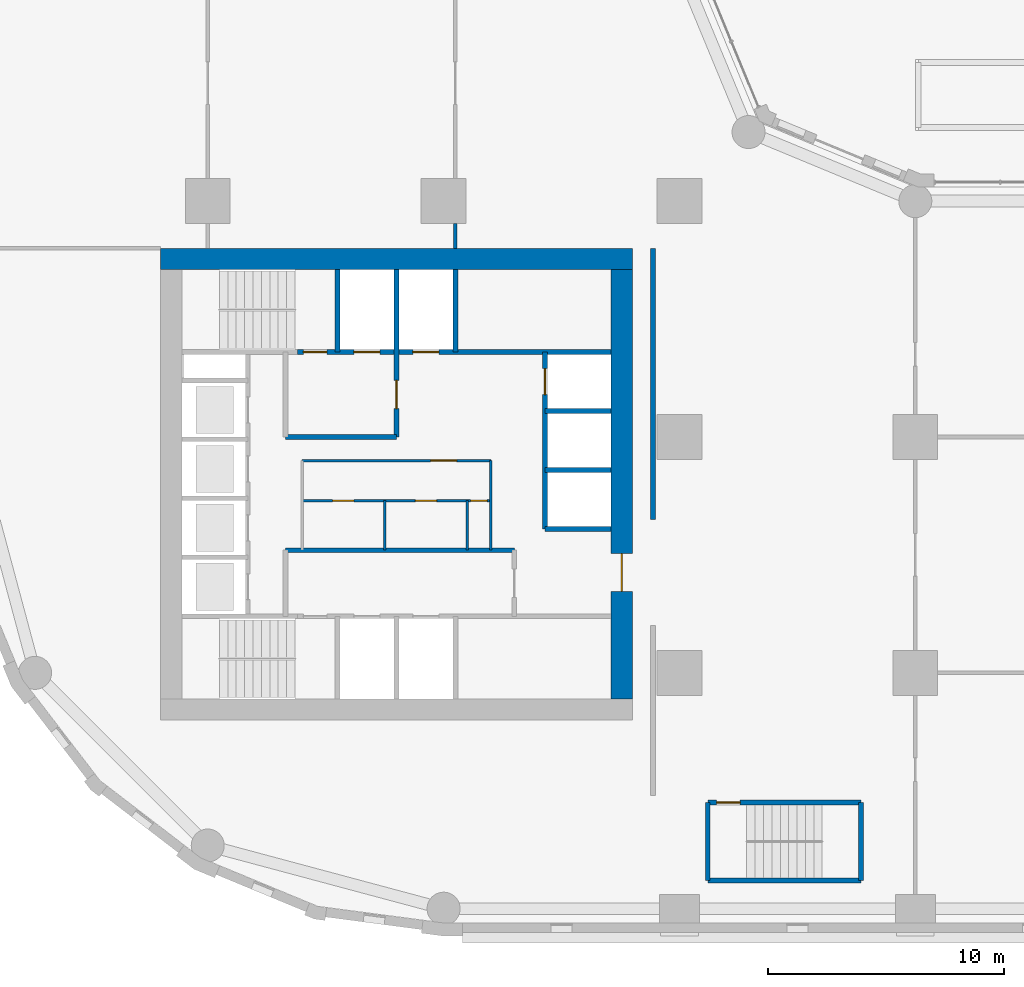
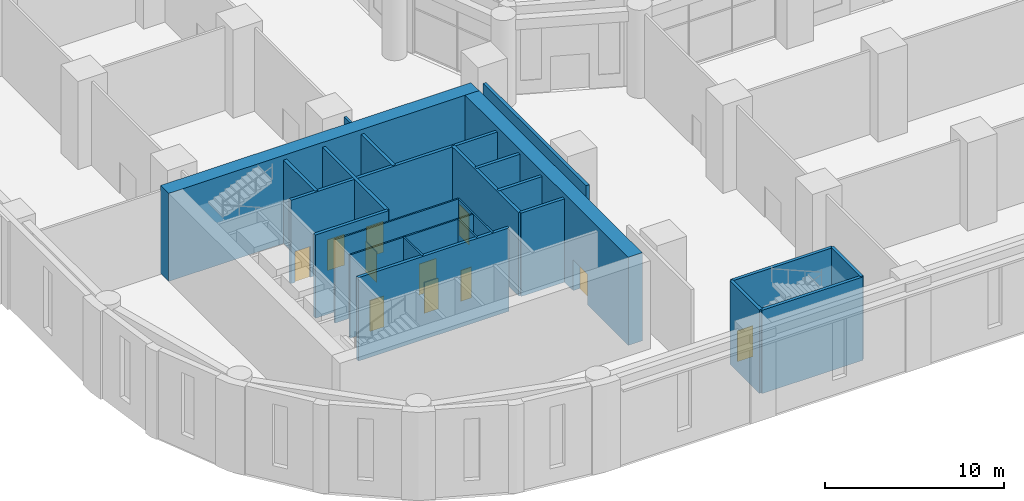
# One storey, part 14 of 28: 23 walls, 11 doors, 11 openings.
"""IFC4 building model written with IfcOpenShell, lengths in metres."""

from ifc_helpers import new_model, si_unit, direction, frame, frame_2d, origin, place, context, subcontext, project, spatial, rectangle, extrude, material, layer, layer_set, type_object, element, fill, save


model = new_model("IFC4")

# Units and contexts
model_context = context("Model", 3, precision=1e-05, world=origin(), true_north=direction((0.0, 1.0)))
body_context = subcontext(model_context, "Body", "Model", "MODEL_VIEW")
ifc_project = project(units=[si_unit("LENGTHUNIT", "METRE"), si_unit("AREAUNIT", "SQUARE_METRE"), si_unit("VOLUMEUNIT", "CUBIC_METRE"), si_unit("PLANEANGLEUNIT", "RADIAN"), si_unit("MASSUNIT", "GRAM", prefix="KILO")], contexts=[model_context])

# Site, building, storey
site_placement = place(None, origin())
site = spatial("IfcSite", under=ifc_project, at=site_placement, CompositionType="ELEMENT")
building_placement = place(site_placement, origin())
building = spatial("IfcBuilding", under=site, at=building_placement, Name="Qaws Garden Tower", CompositionType="ELEMENT")
storey_placement = place(building_placement, frame((0.0, 0.0, 6.0)))
storey = spatial("IfcBuildingStorey", under=building, at=storey_placement, Name="L01", CompositionType="ELEMENT", Elevation=6.0)

# Wall, openings, doors
ifc_material_1 = material(Name="Plasterboard")
ifc_layer_1 = layer(ifc_material_1, 0.10009765625)
ifc_layer_set_1 = layer_set([ifc_layer_1], Name="Plasterboard")
wall_type_1 = type_object("IfcWallType", Name="Core partition 100", PredefinedType="PARTITIONING", material=ifc_layer_set_1)
wall_1_placement = place(storey_placement, frame((14.0, 17.300048828125, 0.0), z_axis=(0.0, 0.0, 1.0), x_axis=(1.0, 0.0, 0.0)))
wall_1 = element("IfcWall", 1, at=wall_1_placement, inside=storey, type_object=wall_type_1, Name="Core partition", PredefinedType="PARTITIONING", context=body_context, shape_type="SweptSolid", body=[
    extrude(rectangle(XDim=8.0, YDim=0.10009765625, at=frame_2d((4.0, 0.0))), origin(), (0.0, 0.0, 1.0), 5.679931640625),
])
opening_1_placement = place(wall_1_placement, frame((1.300048828125, 0.0, 0.0)))
opening_1 = element("IfcOpeningElement", 2, at=opening_1_placement, cuts=wall_1, Name="Opening WD18", PredefinedType="OPENING", context=body_context, shape_type="SweptSolid", body=[
    extrude(rectangle(XDim=0.89990234375, YDim=2.10009765625, at=frame_2d((0.449951171875, 1.050048828125))), frame((0.0, 0.06005859375, 0.0), z_axis=(0.0, -1.0, 0.0), x_axis=(1.0, 0.0, 0.0)), (0.0, 0.0, 1.0), 0.1201171875),
])
opening_2_placement = place(wall_1_placement, frame((4.800048828125, 0.0, 0.0)))
opening_2 = element("IfcOpeningElement", 3, at=opening_2_placement, cuts=wall_1, Name="Opening WD19", PredefinedType="OPENING", context=body_context, shape_type="SweptSolid", body=[
    extrude(rectangle(XDim=0.89990234375, YDim=2.10009765625, at=frame_2d((0.449951171875, 1.050048828125))), frame((0.0, 0.06005859375, 0.0), z_axis=(0.0, -1.0, 0.0), x_axis=(1.0, 0.0, 0.0)), (0.0, 0.0, 1.0), 0.1201171875),
])
opening_3_placement = place(wall_1_placement, frame((7.14990234375, 0.0, 0.0)))
opening_3 = element("IfcOpeningElement", 4, at=opening_3_placement, cuts=wall_1, Name="Opening XD20", PredefinedType="OPENING", context=body_context, shape_type="SweptSolid", body=[
    extrude(rectangle(XDim=0.699951171875, YDim=2.10009765625, at=frame_2d((0.35009765625, 1.050048828125))), frame((0.0, 0.06005859375, 0.0), z_axis=(0.0, -1.0, 0.0), x_axis=(1.0, 0.0, 0.0)), (0.0, 0.0, 1.0), 0.1201171875),
])
ifc_material_2 = material(Name="Timber", Category="wood")
door_type_1 = type_object("IfcDoorType", Name="Store door 700x2100", OperationType="SINGLE_SWING_LEFT", PredefinedType="DOOR", material=ifc_material_2)
door_1_placement = place(opening_3_placement, frame((0.699951171875, 0.0, 0.0), z_axis=(0.0, 0.0, 1.0), x_axis=(-1.0, 0.0, 0.0)))
door_1 = element("IfcDoor", 5, at=door_1_placement, inside=storey, type_object=door_type_1, Name="Cleaner's store door", OperationType="SINGLE_SWING_LEFT", OverallHeight=2.10009765625, OverallWidth=0.699951171875, PredefinedType="DOOR", context=body_context, shape_type="SweptSolid", body=[
    extrude(rectangle(XDim=0.699951171875, YDim=2.10009765625, at=frame_2d((0.35009765625, 1.050048828125))), frame((0.0, 0.02490234375, 0.0), z_axis=(0.0, -1.0, 0.0), x_axis=(1.0, 0.0, 0.0)), (0.0, 0.0, 1.0), 0.050048828125),
])
fill(opening_3, door_1)
ifc_material_3 = material(Name="Timber", Category="wood")
door_type_2 = type_object("IfcDoorType", Name="WC door 900x2100", OperationType="SINGLE_SWING_LEFT", PredefinedType="DOOR", material=ifc_material_3)
door_2_placement = place(opening_1_placement, frame((0.89990234375, 0.0, 0.0), z_axis=(0.0, 0.0, 1.0), x_axis=(-1.0, 0.0, 0.0)))
door_2 = element("IfcDoor", 6, at=door_2_placement, inside=storey, type_object=door_type_2, Name="Men's WC door", OperationType="SINGLE_SWING_LEFT", OverallHeight=2.10009765625, OverallWidth=0.89990234375, PredefinedType="DOOR", context=body_context, shape_type="SweptSolid", body=[
    extrude(rectangle(XDim=0.89990234375, YDim=2.10009765625, at=frame_2d((0.449951171875, 1.050048828125))), frame((0.0, 0.02490234375, 0.0), z_axis=(0.0, -1.0, 0.0), x_axis=(1.0, 0.0, 0.0)), (0.0, 0.0, 1.0), 0.050048828125),
])
fill(opening_1, door_2)
door_3_placement = place(opening_2_placement, frame((0.89990234375, 0.0, 0.0), z_axis=(0.0, 0.0, 1.0), x_axis=(-1.0, 0.0, 0.0)))
door_3 = element("IfcDoor", 7, at=door_3_placement, inside=storey, type_object=door_type_2, Name="Women's WC door", OperationType="SINGLE_SWING_LEFT", OverallHeight=2.10009765625, OverallWidth=0.89990234375, PredefinedType="DOOR", context=body_context, shape_type="SweptSolid", body=[
    extrude(rectangle(XDim=0.89990234375, YDim=2.10009765625, at=frame_2d((0.449951171875, 1.050048828125))), frame((0.0, 0.02490234375, 0.0), z_axis=(0.0, -1.0, 0.0), x_axis=(1.0, 0.0, 0.0)), (0.0, 0.0, 1.0), 0.050048828125),
])
fill(opening_2, door_3)

# Wall, opening, door
wall_2_placement = place(storey_placement, frame((14.0, 19.0, 0.0), z_axis=(0.0, 0.0, 1.0), x_axis=(1.0, 0.0, 0.0)))
wall_2 = element("IfcWall", 8, at=wall_2_placement, inside=storey, type_object=wall_type_1, Name="Core partition", PredefinedType="PARTITIONING", context=body_context, shape_type="SweptSolid", body=[
    extrude(rectangle(XDim=8.0, YDim=0.10009765625, at=frame_2d((4.0, 0.0))), origin(), (0.0, 0.0, 1.0), 5.679931640625),
])
opening_4_placement = place(wall_2_placement, frame((5.449951171875, 0.0, 0.0)))
opening_4 = element("IfcOpeningElement", 9, at=opening_4_placement, cuts=wall_2, Name="Opening WL17", PredefinedType="OPENING", context=body_context, shape_type="SweptSolid", body=[
    extrude(rectangle(XDim=1.10009765625, YDim=2.10009765625, at=frame_2d((0.550048828125, 1.050048828125))), frame((0.0, 0.06005859375, 0.0), z_axis=(0.0, -1.0, 0.0), x_axis=(1.0, 0.0, 0.0)), (0.0, 0.0, 1.0), 0.1201171875),
])
ifc_material_4 = material(Name="Timber", Category="wood")
door_type_3 = type_object("IfcDoorType", Name="WC lobby door 1100x2100", OperationType="SINGLE_SWING_LEFT", PredefinedType="DOOR", material=ifc_material_4)
door_4_placement = place(opening_4_placement, frame((1.10009765625, 0.0, 0.0), z_axis=(0.0, 0.0, 1.0), x_axis=(-1.0, 0.0, 0.0)))
door_4 = element("IfcDoor", 10, at=door_4_placement, inside=storey, type_object=door_type_3, Name="WC lobby door", OperationType="SINGLE_SWING_LEFT", OverallHeight=2.10009765625, OverallWidth=1.10009765625, PredefinedType="DOOR", context=body_context, shape_type="SweptSolid", body=[
    extrude(rectangle(XDim=1.10009765625, YDim=2.10009765625, at=frame_2d((0.550048828125, 1.050048828125))), frame((0.0, 0.02490234375, 0.0), z_axis=(0.0, -1.0, 0.0), x_axis=(1.0, 0.0, 0.0)), (0.0, 0.0, 1.0), 0.050048828125),
])
fill(opening_4, door_4)

# Walls
for number, where, z_axis, x_axis, name in (
    (11, (17.5, 15.199951171875, 0.0), (0.0, 0.0, 1.0), (0.0, 1.0, 0.0), "Core partition"),
    (12, (21.0, 15.199951171875, 0.0), (0.0, 0.0, 1.0), (0.0, 1.0, 0.0), "Core partition"),
):
    element("IfcWall", number, at=place(storey_placement, frame(where, z_axis=z_axis, x_axis=x_axis)), inside=storey, type_object=wall_type_1, Name=name, PredefinedType="PARTITIONING", context=body_context, shape_type="SweptSolid", body=[
        extrude(rectangle(XDim=2.10009765625, YDim=0.10009765625, at=frame_2d((1.050048828125, 0.0))), origin(), (0.0, 0.0, 1.0), 5.679931640625),
    ])
wall_3_placement = place(storey_placement, frame((22.0, 15.199951171875, 0.0), z_axis=(0.0, 0.0, 1.0), x_axis=(0.0, 1.0, 0.0)))
element("IfcWall", 13, at=wall_3_placement, inside=storey, type_object=wall_type_1, Name="Core partition", PredefinedType="PARTITIONING", context=body_context, shape_type="SweptSolid", body=[
    extrude(rectangle(XDim=3.800048828125, YDim=0.10009765625, at=frame_2d((1.89990234375, 0.0))), origin(), (0.0, 0.0, 1.0), 5.679931640625),
])
ifc_material_5 = material(Name="Concrete C80", Category="concrete")
ifc_layer_2 = layer(ifc_material_5, 0.199951171875)
ifc_layer_set_2 = layer_set([ifc_layer_2], Name="Concrete C80")
wall_type_2 = type_object("IfcWallType", Name="Core shaft wall 200 C80", PredefinedType="SHEAR", material=ifc_layer_set_2)
wall_4_placement = place(storey_placement, frame((31.199951171875, 1.199951171875, 0.0), z_axis=(0.0, 0.0, 1.0), x_axis=(1.0, 0.0, 0.0)))
element("IfcWall", 14, at=wall_4_placement, inside=storey, type_object=wall_type_2, Name="Shaft wall", PredefinedType="SHEAR", context=body_context, shape_type="SweptSolid", body=[
    extrude(rectangle(XDim=6.5, YDim=0.199951171875, at=frame_2d((3.25, 0.0))), origin(), (0.0, 0.0, 1.0), 5.679931640625),
])

# Wall, opening, door
wall_5_placement = place(storey_placement, frame((31.199951171875, 4.5, 0.0), z_axis=(0.0, 0.0, 1.0), x_axis=(1.0, 0.0, 0.0)))
wall_5 = element("IfcWall", 15, at=wall_5_placement, inside=storey, type_object=wall_type_2, Name="Shaft wall", PredefinedType="SHEAR", context=body_context, shape_type="SweptSolid", body=[
    extrude(rectangle(XDim=6.5, YDim=0.199951171875, at=frame_2d((3.25, 0.0))), origin(), (0.0, 0.0, 1.0), 5.679931640625),
])
opening_5_placement = place(wall_5_placement, frame((0.375, 0.0, 0.0)))
opening_5 = element("IfcOpeningElement", 16, at=opening_5_placement, cuts=wall_5, Name="Opening SD12", PredefinedType="OPENING", context=body_context, shape_type="SweptSolid", body=[
    extrude(rectangle(XDim=1.0, YDim=2.10009765625, at=frame_2d((0.5, 1.050048828125))), frame((0.0, 0.10986328125, 0.0), z_axis=(0.0, -1.0, 0.0), x_axis=(1.0, 0.0, 0.0)), (0.0, 0.0, 1.0), 0.219970703125),
])
ifc_material_6 = material(Name="Steel S235", Category="steel")
door_type_4 = type_object("IfcDoorType", Name="Stair door 1000x2100", OperationType="SINGLE_SWING_RIGHT", PredefinedType="DOOR", material=ifc_material_6)
door_5_placement = place(opening_5_placement, origin())
door_5 = element("IfcDoor", 17, at=door_5_placement, inside=storey, type_object=door_type_4, Name="Stair 5 door", OperationType="SINGLE_SWING_RIGHT", OverallHeight=2.10009765625, OverallWidth=1.0, PredefinedType="DOOR", context=body_context, shape_type="SweptSolid", body=[
    extrude(rectangle(XDim=1.0, YDim=2.10009765625, at=frame_2d((0.5, 1.050048828125))), frame((0.0, 0.02490234375, 0.0), z_axis=(0.0, -1.0, 0.0), x_axis=(1.0, 0.0, 0.0)), (0.0, 0.0, 1.0), 0.050048828125),
])
fill(opening_5, door_5)

# Walls
wall_6_placement = place(storey_placement, frame((13.300048828125, 15.199951171875, 0.0), z_axis=(0.0, 0.0, 1.0), x_axis=(1.0, 0.0, 0.0)))
element("IfcWall", 18, at=wall_6_placement, inside=storey, type_object=wall_type_2, Name="Shaft wall", PredefinedType="SHEAR", context=body_context, shape_type="SweptSolid", body=[
    extrude(rectangle(XDim=9.699951171875, YDim=0.199951171875, at=frame_2d((4.85009765625, 0.0))), origin(), (0.0, 0.0, 1.0), 5.679931640625),
])
for number, where, z_axis, x_axis, name in (
    (19, (24.300048828125, 16.10009765625, 0.0), (0.0, 0.0, 1.0), (1.0, 0.0, 0.0), "Shaft wall"),
    (20, (24.300048828125, 18.60009765625, 0.0), (0.0, 0.0, 1.0), (1.0, 0.0, 0.0), "Shaft wall"),
):
    element("IfcWall", number, at=place(storey_placement, frame(where, z_axis=z_axis, x_axis=x_axis)), inside=storey, type_object=wall_type_2, Name=name, PredefinedType="SHEAR", context=body_context, shape_type="SweptSolid", body=[
        extrude(rectangle(XDim=2.800048828125, YDim=0.199951171875, at=frame_2d((1.39990234375, 0.0))), origin(), (0.0, 0.0, 1.0), 5.679931640625),
    ])
wall_7_placement = place(storey_placement, frame((13.300048828125, 20.0, 0.0), z_axis=(0.0, 0.0, 1.0), x_axis=(1.0, 0.0, 0.0)))
element("IfcWall", 21, at=wall_7_placement, inside=storey, type_object=wall_type_2, Name="Shaft wall", PredefinedType="SHEAR", context=body_context, shape_type="SweptSolid", body=[
    extrude(rectangle(XDim=4.699951171875, YDim=0.199951171875, at=frame_2d((2.35009765625, 0.0))), origin(), (0.0, 0.0, 1.0), 5.679931640625),
])
wall_8_placement = place(storey_placement, frame((24.300048828125, 21.10009765625, 0.0), z_axis=(0.0, 0.0, 1.0), x_axis=(1.0, 0.0, 0.0)))
element("IfcWall", 22, at=wall_8_placement, inside=storey, type_object=wall_type_2, Name="Shaft wall", PredefinedType="SHEAR", context=body_context, shape_type="SweptSolid", body=[
    extrude(rectangle(XDim=2.800048828125, YDim=0.199951171875, at=frame_2d((1.39990234375, 0.0))), origin(), (0.0, 0.0, 1.0), 5.679931640625),
])

# Wall, openings, doors
wall_9_placement = place(storey_placement, frame((13.800048828125, 23.60009765625, 0.0), z_axis=(0.0, 0.0, 1.0), x_axis=(1.0, 0.0, 0.0)))
wall_9 = element("IfcWall", 23, at=wall_9_placement, inside=storey, type_object=wall_type_2, Name="Shaft wall", PredefinedType="SHEAR", context=body_context, shape_type="SweptSolid", body=[
    extrude(rectangle(XDim=13.300048828125, YDim=0.199951171875, at=frame_2d((6.64990234375, 0.0))), origin(), (0.0, 0.0, 1.0), 5.679931640625),
])
opening_6_placement = place(wall_9_placement, frame((2.39990234375, 0.0, 0.0)))
opening_6 = element("IfcOpeningElement", 24, at=opening_6_placement, cuts=wall_9, Name="Opening LD08", PredefinedType="OPENING", context=body_context, shape_type="SweptSolid", body=[
    extrude(rectangle(XDim=1.10009765625, YDim=2.10009765625, at=frame_2d((0.550048828125, 1.050048828125))), frame((0.0, 0.10986328125, 0.0), z_axis=(0.0, -1.0, 0.0), x_axis=(1.0, 0.0, 0.0)), (0.0, 0.0, 1.0), 0.219970703125),
])
opening_7_placement = place(wall_9_placement, frame((4.89990234375, 0.0, 0.0)))
opening_7 = element("IfcOpeningElement", 25, at=opening_7_placement, cuts=wall_9, Name="Opening LD09", PredefinedType="OPENING", context=body_context, shape_type="SweptSolid", body=[
    extrude(rectangle(XDim=1.10009765625, YDim=2.10009765625, at=frame_2d((0.550048828125, 1.050048828125))), frame((0.0, 0.10986328125, 0.0), z_axis=(0.0, -1.0, 0.0), x_axis=(1.0, 0.0, 0.0)), (0.0, 0.0, 1.0), 0.219970703125),
])
opening_8_placement = place(wall_9_placement, frame((0.25, 0.0, 0.0)))
opening_8 = element("IfcOpeningElement", 26, at=opening_8_placement, cuts=wall_9, Name="Opening SD11", PredefinedType="OPENING", context=body_context, shape_type="SweptSolid", body=[
    extrude(rectangle(XDim=1.0, YDim=2.10009765625, at=frame_2d((0.5, 1.050048828125))), frame((0.0, 0.10986328125, 0.0), z_axis=(0.0, -1.0, 0.0), x_axis=(1.0, 0.0, 0.0)), (0.0, 0.0, 1.0), 0.219970703125),
])
ifc_material_7 = material(Name="Steel S235", Category="steel")
door_type_5 = type_object("IfcDoorType", Name="Landing door 1100x2100", OperationType="DOUBLE_DOOR_SLIDING", PredefinedType="DOOR", material=ifc_material_7)
door_6_placement = place(opening_6_placement, origin())
door_6 = element("IfcDoor", 27, at=door_6_placement, inside=storey, type_object=door_type_5, Name="Lift FF3 landing door", OperationType="DOUBLE_DOOR_SLIDING", OverallHeight=2.10009765625, OverallWidth=1.10009765625, PredefinedType="DOOR", context=body_context, shape_type="SweptSolid", body=[
    extrude(rectangle(XDim=1.10009765625, YDim=2.10009765625, at=frame_2d((0.550048828125, 1.050048828125))), frame((0.0, 0.02490234375, 0.0), z_axis=(0.0, -1.0, 0.0), x_axis=(1.0, 0.0, 0.0)), (0.0, 0.0, 1.0), 0.050048828125),
])
fill(opening_6, door_6)
door_7_placement = place(opening_7_placement, origin())
door_7 = element("IfcDoor", 28, at=door_7_placement, inside=storey, type_object=door_type_5, Name="Lift SV2 landing door", OperationType="DOUBLE_DOOR_SLIDING", OverallHeight=2.10009765625, OverallWidth=1.10009765625, PredefinedType="DOOR", context=body_context, shape_type="SweptSolid", body=[
    extrude(rectangle(XDim=1.10009765625, YDim=2.10009765625, at=frame_2d((0.550048828125, 1.050048828125))), frame((0.0, 0.02490234375, 0.0), z_axis=(0.0, -1.0, 0.0), x_axis=(1.0, 0.0, 0.0)), (0.0, 0.0, 1.0), 0.050048828125),
])
fill(opening_7, door_7)
door_8_placement = place(opening_8_placement, origin())
door_8 = element("IfcDoor", 29, at=door_8_placement, inside=storey, type_object=door_type_4, Name="Stair 4 door", OperationType="SINGLE_SWING_RIGHT", OverallHeight=2.10009765625, OverallWidth=1.0, PredefinedType="DOOR", context=body_context, shape_type="SweptSolid", body=[
    extrude(rectangle(XDim=1.0, YDim=2.10009765625, at=frame_2d((0.5, 1.050048828125))), frame((0.0, 0.02490234375, 0.0), z_axis=(0.0, -1.0, 0.0), x_axis=(1.0, 0.0, 0.0)), (0.0, 0.0, 1.0), 0.050048828125),
])
fill(opening_8, door_8)

# Wall
wall_10_placement = place(storey_placement, frame((15.5, 23.60009765625, 0.0), z_axis=(0.0, 0.0, 1.0), x_axis=(0.0, 1.0, 0.0)))
element("IfcWall", 30, at=wall_10_placement, inside=storey, type_object=wall_type_2, Name="Shaft wall", PredefinedType="SHEAR", context=body_context, shape_type="SweptSolid", body=[
    extrude(rectangle(XDim=3.5, YDim=0.199951171875, at=frame_2d((1.75, 0.0))), origin(), (0.0, 0.0, 1.0), 5.679931640625),
])

# Wall, opening, door
wall_11_placement = place(storey_placement, frame((18.0, 20.0, 0.0), z_axis=(0.0, 0.0, 1.0), x_axis=(0.0, 1.0, 0.0)))
wall_11 = element("IfcWall", 31, at=wall_11_placement, inside=storey, type_object=wall_type_2, Name="Shaft wall", PredefinedType="SHEAR", context=body_context, shape_type="SweptSolid", body=[
    extrude(rectangle(XDim=7.10009765625, YDim=0.199951171875, at=frame_2d((3.550048828125, 0.0))), origin(), (0.0, 0.0, 1.0), 5.679931640625),
])
opening_9_placement = place(wall_11_placement, frame((1.199951171875, 0.0, 0.0)))
opening_9 = element("IfcOpeningElement", 32, at=opening_9_placement, cuts=wall_11, Name="Opening FD16", PredefinedType="OPENING", context=body_context, shape_type="SweptSolid", body=[
    extrude(rectangle(XDim=1.199951171875, YDim=2.10009765625, at=frame_2d((0.60009765625, 1.050048828125))), frame((0.0, 0.10986328125, 0.0), z_axis=(0.0, -1.0, 0.0), x_axis=(1.0, 0.0, 0.0)), (0.0, 0.0, 1.0), 0.219970703125),
])
ifc_material_8 = material(Name="Steel S235", Category="steel")
door_type_6 = type_object("IfcDoorType", Name="Lobby door 1200x2100", OperationType="DOUBLE_DOOR_SINGLE_SWING", PredefinedType="DOOR", material=ifc_material_8)
door_9_placement = place(opening_9_placement, origin())
door_9 = element("IfcDoor", 33, at=door_9_placement, inside=storey, type_object=door_type_6, Name="Fire-fighting lobby door", OperationType="DOUBLE_DOOR_SINGLE_SWING", OverallHeight=2.10009765625, OverallWidth=1.199951171875, PredefinedType="DOOR", context=body_context, shape_type="SweptSolid", body=[
    extrude(rectangle(XDim=1.199951171875, YDim=2.10009765625, at=frame_2d((0.60009765625, 1.050048828125))), frame((0.0, 0.02490234375, 0.0), z_axis=(0.0, -1.0, 0.0), x_axis=(1.0, 0.0, 0.0)), (0.0, 0.0, 1.0), 0.050048828125),
])
fill(opening_9, door_9)

# Wall
wall_12_placement = place(storey_placement, frame((20.5, 23.60009765625, 0.0), z_axis=(0.0, 0.0, 1.0), x_axis=(0.0, 1.0, 0.0)))
element("IfcWall", 34, at=wall_12_placement, inside=storey, type_object=wall_type_2, Name="Shaft wall", PredefinedType="SHEAR", context=body_context, shape_type="SweptSolid", body=[
    extrude(rectangle(XDim=3.5, YDim=0.199951171875, at=frame_2d((1.75, 0.0))), origin(), (0.0, 0.0, 1.0), 5.679931640625),
])

# Wall, opening, door
wall_13_placement = place(storey_placement, frame((24.300048828125, 16.10009765625, 0.0), z_axis=(0.0, 0.0, 1.0), x_axis=(0.0, 1.0, 0.0)))
wall_13 = element("IfcWall", 35, at=wall_13_placement, inside=storey, type_object=wall_type_2, Name="Shaft wall", PredefinedType="SHEAR", context=body_context, shape_type="SweptSolid", body=[
    extrude(rectangle(XDim=7.5, YDim=0.199951171875, at=frame_2d((3.75, 0.0))), origin(), (0.0, 0.0, 1.0), 5.679931640625),
])
opening_10_placement = place(wall_13_placement, frame((5.699951171875, 0.0, 0.0)))
opening_10 = element("IfcOpeningElement", 36, at=opening_10_placement, cuts=wall_13, Name="Opening LD05", PredefinedType="OPENING", context=body_context, shape_type="SweptSolid", body=[
    extrude(rectangle(XDim=1.10009765625, YDim=2.10009765625, at=frame_2d((0.550048828125, 1.050048828125))), frame((0.0, 0.10986328125, 0.0), z_axis=(0.0, -1.0, 0.0), x_axis=(1.0, 0.0, 0.0)), (0.0, 0.0, 1.0), 0.219970703125),
])
door_10_placement = place(opening_10_placement, origin())
door_10 = element("IfcDoor", 37, at=door_10_placement, inside=storey, type_object=door_type_5, Name="Lift E3 landing door", OperationType="DOUBLE_DOOR_SLIDING", OverallHeight=2.10009765625, OverallWidth=1.10009765625, PredefinedType="DOOR", context=body_context, shape_type="SweptSolid", body=[
    extrude(rectangle(XDim=1.10009765625, YDim=2.10009765625, at=frame_2d((0.550048828125, 1.050048828125))), frame((0.0, 0.02490234375, 0.0), z_axis=(0.0, -1.0, 0.0), x_axis=(1.0, 0.0, 0.0)), (0.0, 0.0, 1.0), 0.050048828125),
])
fill(opening_10, door_10)

# Walls
for number, where, z_axis, x_axis, name in (
    (38, (31.199951171875, 1.199951171875, 0.0), (0.0, 0.0, 1.0), (0.0, 1.0, 0.0), "Shaft wall"),
    (39, (37.699951171875, 1.199951171875, 0.0), (0.0, 0.0, 1.0), (0.0, 1.0, 0.0), "Shaft wall"),
):
    element("IfcWall", number, at=place(storey_placement, frame(where, z_axis=z_axis, x_axis=x_axis)), inside=storey, type_object=wall_type_2, Name=name, PredefinedType="SHEAR", context=body_context, shape_type="SweptSolid", body=[
        extrude(rectangle(XDim=3.300048828125, YDim=0.199951171875, at=frame_2d((1.64990234375, 0.0))), origin(), (0.0, 0.0, 1.0), 5.679931640625),
    ])

# Wall, opening, door
ifc_material_9 = material(Name="Concrete C80", Category="concrete")
ifc_layer_3 = layer(ifc_material_9, 0.89990234375)
ifc_layer_set_3 = layer_set([ifc_layer_3], Name="Concrete C80")
wall_type_3 = type_object("IfcWallType", Name="Core wall 900 C80", PredefinedType="SHEAR", material=ifc_layer_set_3)
wall_14_placement = place(storey_placement, frame((27.550048828125, 8.89990234375, 0.0), z_axis=(0.0, 0.0, 1.0), x_axis=(0.0, 1.0, 0.0)))
wall_14 = element("IfcWall", 40, at=wall_14_placement, inside=storey, type_object=wall_type_3, Name="Core wall L01 east", PredefinedType="SHEAR", context=body_context, shape_type="SweptSolid", body=[
    extrude(rectangle(XDim=18.2001953125, YDim=0.89990234375, at=frame_2d((9.10009765625, 0.0))), origin(), (0.0, 0.0, 1.0), 6.0),
])
opening_11_placement = place(wall_14_placement, frame((4.550048828125, 0.0, 0.0)))
opening_11 = element("IfcOpeningElement", 41, at=opening_11_placement, cuts=wall_14, Name="Opening ED21", PredefinedType="OPENING", context=body_context, shape_type="SweptSolid", body=[
    extrude(rectangle(XDim=1.60009765625, YDim=2.10009765625, at=frame_2d((0.800048828125, 1.050048828125))), frame((0.0, 0.4599609375, 0.0), z_axis=(0.0, -1.0, 0.0), x_axis=(1.0, 0.0, 0.0)), (0.0, 0.0, 1.0), 0.919921875),
])
ifc_material_10 = material(Name="Steel S235", Category="steel")
door_type_7 = type_object("IfcDoorType", Name="Core entrance door 1600x2100", OperationType="DOUBLE_DOOR_SINGLE_SWING", PredefinedType="DOOR", material=ifc_material_10)
door_11_placement = place(opening_11_placement, frame((1.60009765625, 0.0, 0.0), z_axis=(0.0, 0.0, 1.0), x_axis=(-1.0, 0.0, 0.0)))
door_11 = element("IfcDoor", 42, at=door_11_placement, inside=storey, type_object=door_type_7, Name="Core entrance door", OperationType="DOUBLE_DOOR_SINGLE_SWING", OverallHeight=2.10009765625, OverallWidth=1.60009765625, PredefinedType="DOOR", context=body_context, shape_type="SweptSolid", body=[
    extrude(rectangle(XDim=1.60009765625, YDim=2.10009765625, at=frame_2d((0.800048828125, 1.050048828125))), frame((0.0, 0.02490234375, 0.0), z_axis=(0.0, -1.0, 0.0), x_axis=(1.0, 0.0, 0.0)), (0.0, 0.0, 1.0), 0.050048828125),
])
fill(opening_11, door_11)

# Walls
wall_15_placement = place(storey_placement, frame((28.0, 27.550048828125, 0.0), z_axis=(0.0, 0.0, 1.0), x_axis=(-1.0, 0.0, 0.0)))
element("IfcWall", 43, at=wall_15_placement, inside=storey, type_object=wall_type_3, Name="Core wall L01 north", PredefinedType="SHEAR", context=body_context, shape_type="SweptSolid", body=[
    extrude(rectangle(XDim=20.0, YDim=0.89990234375, at=frame_2d((10.0, 0.0))), origin(), (0.0, 0.0, 1.0), 6.0),
])
ifc_material_11 = material(Name="Gypsum board on steel S235 stud", Category="steel")
ifc_layer_4 = layer(ifc_material_11, 0.14990234375)
ifc_layer_set_4 = layer_set([ifc_layer_4], Name="Gypsum board on steel S235 stud")
wall_type_4 = type_object("IfcWallType", Name="Partition 150", PredefinedType="PARTITIONING", material=ifc_layer_set_4)
wall_16_placement = place(storey_placement, frame((20.5, 28.0, 0.0), z_axis=(0.0, 0.0, 1.0), x_axis=(0.0, 1.0, 0.0)))
element("IfcWall", 44, at=wall_16_placement, inside=storey, type_object=wall_type_4, Name="Conference foyer wall", PredefinedType="PARTITIONING", context=body_context, shape_type="SweptSolid", body=[
    extrude(rectangle(XDim=1.050048828125, YDim=0.14990234375, at=frame_2d((0.52490234375, 0.0))), origin(), (0.0, 0.0, 1.0), 5.679931640625),
])
ifc_material_12 = material(Name="Blockwork", Category="masonry")
ifc_layer_5 = layer(ifc_material_12, 0.199951171875)
ifc_layer_set_5 = layer_set([ifc_layer_5], Name="Blockwork")
wall_type_5 = type_object("IfcWallType", Name="Plant room wall 200", PredefinedType="PARTITIONING", material=ifc_layer_set_5)
wall_17_placement = place(storey_placement, frame((28.875, 16.5, 0.0), z_axis=(0.0, 0.0, 1.0), x_axis=(0.0, 1.0, 0.0)))
element("IfcWall", 45, at=wall_17_placement, inside=storey, type_object=wall_type_5, Name="Gallery west wall", PredefinedType="PARTITIONING", context=body_context, shape_type="SweptSolid", body=[
    extrude(rectangle(XDim=11.5, YDim=0.199951171875, at=frame_2d((5.75, 0.0))), origin(), (0.0, 0.0, 1.0), 5.679931640625),
])

save(model, "model.ifc")
